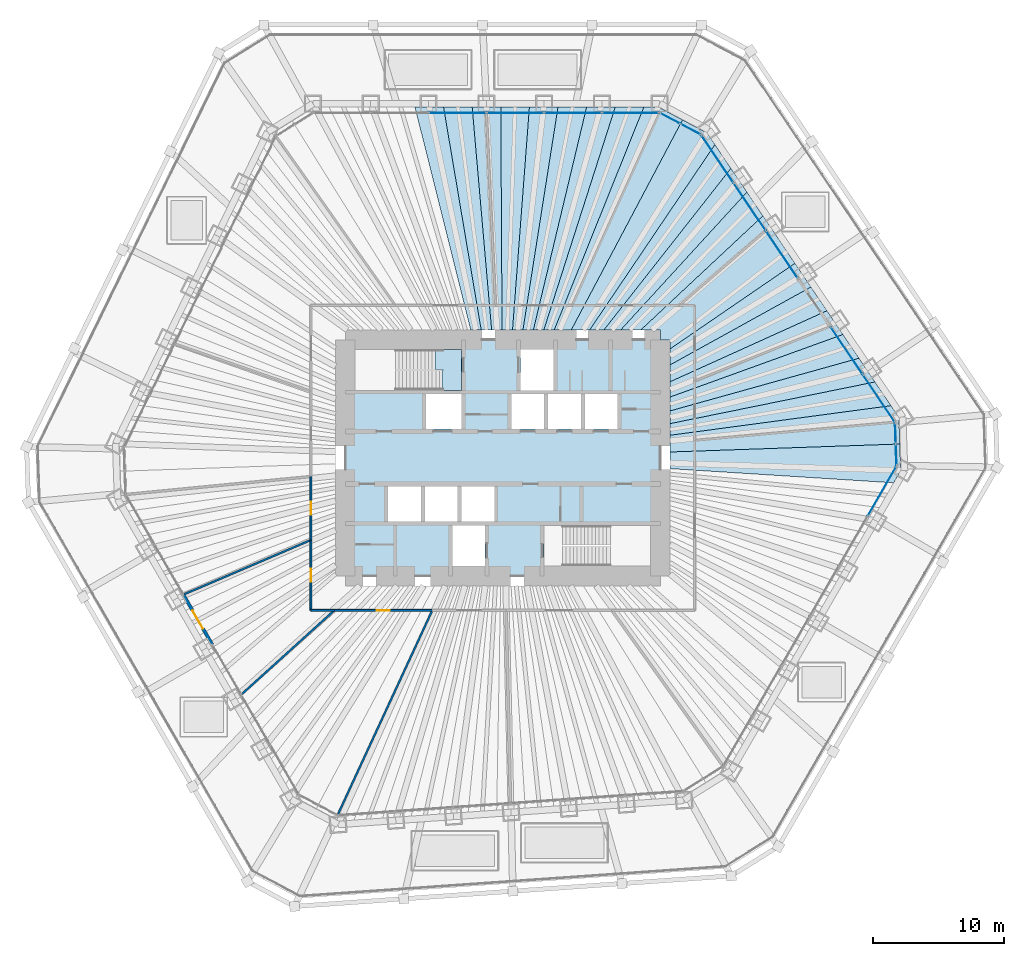
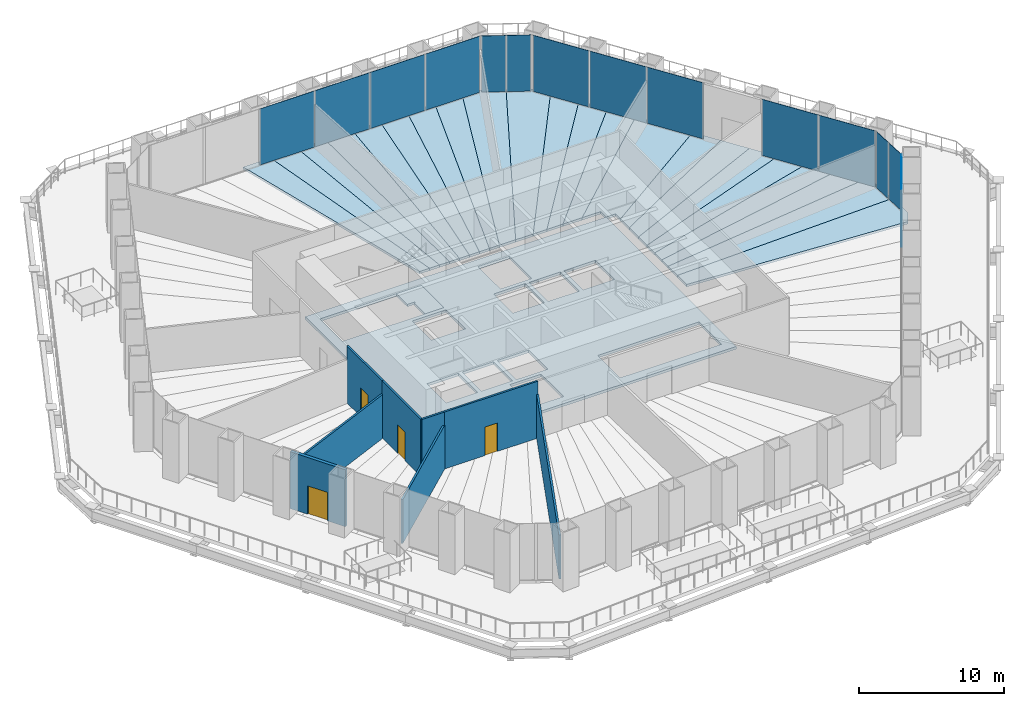
# One storey, part 14 of 20: 24 slabs, 14 plates, 8 walls, 4 doors, 4 openings, 7 elements without a shape of their own.
"""IFC4 building model written with IfcOpenShell, lengths in metres."""

from ifc_helpers import new_model, si_unit, direction, frame, frame_2d, origin, origin_2d, place, context, subcontext, project, spatial, polyline, rectangle, outline, extrude, material, layer, layer_set, type_object, element, fill, aggregate, save


model = new_model("IFC4")

# Units and contexts
model_context = context("Model", 3, precision=1e-05, world=origin(), true_north=direction((0.0, 1.0)))
body_context = subcontext(model_context, "Body", "Model", "MODEL_VIEW")
ifc_project = project(units=[si_unit("LENGTHUNIT", "METRE"), si_unit("AREAUNIT", "SQUARE_METRE"), si_unit("VOLUMEUNIT", "CUBIC_METRE"), si_unit("PLANEANGLEUNIT", "RADIAN"), si_unit("MASSUNIT", "GRAM", prefix="KILO")], contexts=[model_context])

# Site, building, storey
site_placement = place(None, origin())
site = spatial("IfcSite", under=ifc_project, at=site_placement, CompositionType="ELEMENT")
building_placement = place(site_placement, origin())
building = spatial("IfcBuilding", under=site, at=building_placement, Name="Qingtian Harvest Tower", CompositionType="ELEMENT")
storey_placement = place(building_placement, frame((0.0, 0.0, 17.0)))
storey = spatial("IfcBuildingStorey", under=building, at=storey_placement, Name="L03", CompositionType="ELEMENT", Elevation=17.0)

# Slabs
ifc_material_1 = material(Name="Concrete fc' 35 MPa", Category="concrete")
ifc_layer_1 = layer(ifc_material_1, 0.199951171875)
ifc_layer_set_1 = layer_set([ifc_layer_1], Name="Composite floor slab FS20 200")
slab_type_1 = type_object("IfcSlabType", Name="Composite floor slab FS20 200", PredefinedType="FLOOR", material=ifc_layer_set_1)
slab_1_placement = place(storey_placement, frame((0.0, 0.0, -0.199951171875)))
element("IfcSlab", 1, at=slab_1_placement, inside=storey, type_object=slab_type_1, Name="Floor slab L03 panel D39", PredefinedType="FLOOR", context=body_context, shape_type="SweptSolid", body=[
    extrude(outline(polyline([(12.75, -0.822265625), (12.75, 0.447265625), (30.2587890625, 1.056640625), (30.32958984375, -0.9775390625), (29.794921875, -1.903564453125), (12.75, -0.822265625)])), origin(), (0.0, 0.0, 1.0), 0.199951171875),
])
slab_2_placement = place(storey_placement, frame((0.0, 0.0, -0.199951171875)))
element("IfcSlab", 2, at=slab_2_placement, inside=storey, type_object=slab_type_1, Name="Floor slab L03 panel D40", PredefinedType="FLOOR", context=body_context, shape_type="SweptSolid", body=[
    extrude(outline(polyline([(12.75, 0.447265625), (12.75, 1.72265625), (29.589599609375, 3.977294921875), (30.187744140625, 3.0908203125), (30.2587890625, 1.056640625), (12.75, 0.447265625)])), origin(), (0.0, 0.0, 1.0), 0.199951171875),
])
slab_3_placement = place(storey_placement, frame((0.0, 0.0, -0.199951171875)))
element("IfcSlab", 3, at=slab_3_placement, inside=storey, type_object=slab_type_1, Name="Floor slab L03 panel D41", PredefinedType="FLOOR", context=body_context, shape_type="SweptSolid", body=[
    extrude(outline(polyline([(12.75, 2.610595703125), (28.369140625, 5.78662109375), (29.589599609375, 3.977294921875), (12.75, 1.72265625), (12.75, 2.610595703125)])), origin(), (0.0, 0.0, 1.0), 0.199951171875),
])
slab_4_placement = place(storey_placement, frame((0.0, 0.0, -0.199951171875)))
element("IfcSlab", 4, at=slab_4_placement, inside=storey, type_object=slab_type_1, Name="Floor slab L03 panel D42", PredefinedType="FLOOR", context=body_context, shape_type="SweptSolid", body=[
    extrude(outline(polyline([(12.75, 3.57861328125), (27.14892578125, 7.595947265625), (28.369140625, 5.78662109375), (12.75, 2.610595703125), (12.75, 3.57861328125)])), origin(), (0.0, 0.0, 1.0), 0.199951171875),
])
slab_5_placement = place(storey_placement, frame((0.0, 0.0, -0.199951171875)))
element("IfcSlab", 5, at=slab_5_placement, inside=storey, type_object=slab_type_1, Name="Floor slab L03 panel D43", PredefinedType="FLOOR", context=body_context, shape_type="SweptSolid", body=[
    extrude(outline(polyline([(12.75, 4.6376953125), (25.928466796875, 9.405029296875), (27.14892578125, 7.595947265625), (12.75, 3.57861328125), (12.75, 4.6376953125)])), origin(), (0.0, 0.0, 1.0), 0.199951171875),
])
slab_6_placement = place(storey_placement, frame((0.0, 0.0, -0.199951171875)))
element("IfcSlab", 6, at=slab_6_placement, inside=storey, type_object=slab_type_1, Name="Floor slab L03 panel D44", PredefinedType="FLOOR", context=body_context, shape_type="SweptSolid", body=[
    extrude(outline(polyline([(12.75, 5.8017578125), (24.708251953125, 11.21435546875), (25.928466796875, 9.405029296875), (12.75, 4.6376953125), (12.75, 5.8017578125)])), origin(), (0.0, 0.0, 1.0), 0.199951171875),
])
slab_7_placement = place(storey_placement, frame((0.0, 0.0, -0.199951171875)))
element("IfcSlab", 7, at=slab_7_placement, inside=storey, type_object=slab_type_1, Name="Floor slab L03 panel D45", PredefinedType="FLOOR", context=body_context, shape_type="SweptSolid", body=[
    extrude(outline(polyline([(12.75, 7.087158203125), (23.48779296875, 13.023681640625), (24.708251953125, 11.21435546875), (12.75, 5.8017578125), (12.75, 7.087158203125)])), origin(), (0.0, 0.0, 1.0), 0.199951171875),
])
slab_8_placement = place(storey_placement, frame((0.0, 0.0, -0.199951171875)))
element("IfcSlab", 8, at=slab_8_placement, inside=storey, type_object=slab_type_1, Name="Floor slab L03 panel D46", PredefinedType="FLOOR", context=body_context, shape_type="SweptSolid", body=[
    extrude(outline(polyline([(12.75, 8.30615234375), (22.26953125, 14.829833984375), (23.48779296875, 13.023681640625), (12.75, 7.087158203125), (12.75, 8.30615234375)])), origin(), (0.0, 0.0, 1.0), 0.199951171875),
])
slab_9_placement = place(storey_placement, frame((0.0, 0.0, -0.199951171875)))
element("IfcSlab", 9, at=slab_9_placement, inside=storey, type_object=slab_type_1, Name="Floor slab L03 panel D48", PredefinedType="FLOOR", context=body_context, shape_type="SweptSolid", body=[
    extrude(outline(polyline([(19.8271484375, 18.45068359375), (22.26953125, 14.829833984375), (12.75, 8.30615234375), (12.75, 9.0), (12.0, 9.0), (12.0, 9.75), (10.51806640625, 9.75), (19.8271484375, 18.45068359375)])), origin(), (0.0, 0.0, 1.0), 0.199951171875),
])
slab_10_placement = place(storey_placement, frame((0.0, 0.0, -0.199951171875)))
element("IfcSlab", 10, at=slab_10_placement, inside=storey, type_object=slab_type_1, Name="Floor slab L03 panel D49", PredefinedType="FLOOR", context=body_context, shape_type="SweptSolid", body=[
    extrude(outline(polyline([(8.985107421875, 9.75), (18.60693359375, 20.260009765625), (19.8271484375, 18.45068359375), (10.51806640625, 9.75), (8.985107421875, 9.75)])), origin(), (0.0, 0.0, 1.0), 0.199951171875),
])
slab_11_placement = place(storey_placement, frame((0.0, 0.0, -0.199951171875)))
element("IfcSlab", 11, at=slab_11_placement, inside=storey, type_object=slab_type_1, Name="Floor slab L03 panel D50", PredefinedType="FLOOR", context=body_context, shape_type="SweptSolid", body=[
    extrude(outline(polyline([(7.705078125, 9.75), (17.386474609375, 22.0693359375), (18.60693359375, 20.260009765625), (8.985107421875, 9.75), (7.705078125, 9.75)])), origin(), (0.0, 0.0, 1.0), 0.199951171875),
])
slab_12_placement = place(storey_placement, frame((0.0, 0.0, -0.199951171875)))
element("IfcSlab", 12, at=slab_12_placement, inside=storey, type_object=slab_type_1, Name="Floor slab L03 panel D51", PredefinedType="FLOOR", context=body_context, shape_type="SweptSolid", body=[
    extrude(outline(polyline([(6.61962890625, 9.75), (16.166015625, 23.87841796875), (17.386474609375, 22.0693359375), (7.705078125, 9.75), (6.61962890625, 9.75)])), origin(), (0.0, 0.0, 1.0), 0.199951171875),
])
slab_13_placement = place(storey_placement, frame((0.0, 0.0, -0.199951171875)))
element("IfcSlab", 13, at=slab_13_placement, inside=storey, type_object=slab_type_1, Name="Floor slab L03 panel D52", PredefinedType="FLOOR", context=body_context, shape_type="SweptSolid", body=[
    extrude(outline(polyline([(6.61962890625, 9.75), (5.21875, 9.75), (13.697265625, 25.760009765625), (15.56787109375, 24.765380859375), (16.166015625, 23.87841796875), (6.61962890625, 9.75)])), origin(), (0.0, 0.0, 1.0), 0.199951171875),
])
slab_14_placement = place(storey_placement, frame((0.0, 0.0, -0.199951171875)))
element("IfcSlab", 14, at=slab_14_placement, inside=storey, type_object=slab_type_1, Name="Floor slab L03 panel D53", PredefinedType="FLOOR", context=body_context, shape_type="SweptSolid", body=[
    extrude(outline(polyline([(3.919921875, 9.75), (10.756591796875, 26.7548828125), (11.825927734375, 26.7548828125), (13.697265625, 25.760009765625), (5.21875, 9.75), (3.919921875, 9.75)])), origin(), (0.0, 0.0, 1.0), 0.199951171875),
])
slab_15_placement = place(storey_placement, frame((0.0, 0.0, -0.199951171875)))
element("IfcSlab", 15, at=slab_15_placement, inside=storey, type_object=slab_type_1, Name="Floor slab L03 panel D54", PredefinedType="FLOOR", context=body_context, shape_type="SweptSolid", body=[
    extrude(outline(polyline([(3.12451171875, 9.75), (8.57421875, 26.7548828125), (10.756591796875, 26.7548828125), (3.919921875, 9.75), (3.12451171875, 9.75)])), origin(), (0.0, 0.0, 1.0), 0.199951171875),
])
slab_16_placement = place(storey_placement, frame((0.0, 0.0, -0.199951171875)))
element("IfcSlab", 16, at=slab_16_placement, inside=storey, type_object=slab_type_1, Name="Floor slab L03 panel D55", PredefinedType="FLOOR", context=body_context, shape_type="SweptSolid", body=[
    extrude(outline(polyline([(2.329345703125, 9.75), (6.391845703125, 26.7548828125), (8.57421875, 26.7548828125), (3.12451171875, 9.75), (2.329345703125, 9.75)])), origin(), (0.0, 0.0, 1.0), 0.199951171875),
])
slab_17_placement = place(storey_placement, frame((0.0, 0.0, -0.199951171875)))
element("IfcSlab", 17, at=slab_17_placement, inside=storey, type_object=slab_type_1, Name="Floor slab L03 panel D56", PredefinedType="FLOOR", context=body_context, shape_type="SweptSolid", body=[
    extrude(outline(polyline([(1.533935546875, 9.75), (4.20947265625, 26.7548828125), (6.391845703125, 26.7548828125), (2.329345703125, 9.75), (1.533935546875, 9.75)])), origin(), (0.0, 0.0, 1.0), 0.199951171875),
])
slab_18_placement = place(storey_placement, frame((0.0, 0.0, -0.199951171875)))
element("IfcSlab", 18, at=slab_18_placement, inside=storey, type_object=slab_type_1, Name="Floor slab L03 panel D57", PredefinedType="FLOOR", context=body_context, shape_type="SweptSolid", body=[
    extrude(outline(polyline([(0.73876953125, 9.75), (2.02734375, 26.7548828125), (4.20947265625, 26.7548828125), (1.533935546875, 9.75), (0.73876953125, 9.75)])), origin(), (0.0, 0.0, 1.0), 0.199951171875),
])
slab_19_placement = place(storey_placement, frame((0.0, 0.0, -0.199951171875)))
element("IfcSlab", 19, at=slab_19_placement, inside=storey, type_object=slab_type_1, Name="Floor slab L03 panel D58", PredefinedType="FLOOR", context=body_context, shape_type="SweptSolid", body=[
    extrude(outline(polyline([(-0.056396484375, 9.75), (-0.155029296875, 26.7548828125), (2.02734375, 26.7548828125), (0.73876953125, 9.75), (-0.056396484375, 9.75)])), origin(), (0.0, 0.0, 1.0), 0.199951171875),
])
slab_20_placement = place(storey_placement, frame((0.0, 0.0, -0.199951171875)))
element("IfcSlab", 20, at=slab_20_placement, inside=storey, type_object=slab_type_1, Name="Floor slab L03 panel D59", PredefinedType="FLOOR", context=body_context, shape_type="SweptSolid", body=[
    extrude(outline(polyline([(-0.851806640625, 9.75), (-2.33740234375, 26.7548828125), (-0.155029296875, 26.7548828125), (-0.056396484375, 9.75), (-0.851806640625, 9.75)])), origin(), (0.0, 0.0, 1.0), 0.199951171875),
])
slab_21_placement = place(storey_placement, frame((0.0, 0.0, -0.199951171875)))
element("IfcSlab", 21, at=slab_21_placement, inside=storey, type_object=slab_type_1, Name="Floor slab L03 panel D60", PredefinedType="FLOOR", context=body_context, shape_type="SweptSolid", body=[
    extrude(outline(polyline([(-1.64697265625, 9.75), (-4.519775390625, 26.7548828125), (-2.33740234375, 26.7548828125), (-0.851806640625, 9.75), (-1.64697265625, 9.75)])), origin(), (0.0, 0.0, 1.0), 0.199951171875),
])
slab_22_placement = place(storey_placement, frame((0.0, 0.0, -0.199951171875)))
element("IfcSlab", 22, at=slab_22_placement, inside=storey, type_object=slab_type_1, Name="Floor slab L03 panel D61", PredefinedType="FLOOR", context=body_context, shape_type="SweptSolid", body=[
    extrude(outline(polyline([(-2.4423828125, 9.75), (-6.7021484375, 26.7548828125), (-4.519775390625, 26.7548828125), (-1.64697265625, 9.75), (-2.4423828125, 9.75)])), origin(), (0.0, 0.0, 1.0), 0.199951171875),
])
ifc_material_2 = material(Name="Concrete fc' 35 MPa", Category="concrete")
ifc_layer_2 = layer(ifc_material_2, 0.219970703125)
ifc_layer_set_2 = layer_set([ifc_layer_2], Name="Core floor slab CS22 220")
slab_type_2 = type_object("IfcSlabType", Name="Core floor slab CS22 220", PredefinedType="FLOOR", material=ifc_layer_set_2)
slab_23_placement = place(storey_placement, frame((0.0, 0.0, -0.219970703125)))
element("IfcSlab", 23, at=slab_23_placement, inside=storey, type_object=slab_type_2, Name="Core floor slab L03", PredefinedType="FLOOR", context=body_context, shape_type="SweptSolid", body=[
    extrude(outline(polyline([(-12.0, -9.0), (12.0, -9.0), (12.0, 9.0), (-12.0, 9.0), (-12.0, -9.0)]), holes=[polyline([(-11.25, 5.14990234375), (-3.14990234375, 5.14990234375), (-3.14990234375, 8.25), (-11.25, 8.25), (-11.25, 5.14990234375)]), polyline([(3.14990234375, -8.25), (11.25, -8.25), (11.25, -5.14990234375), (3.14990234375, -5.14990234375), (3.14990234375, -8.25)]), polyline([(1.35009765625, 5.14990234375), (3.85009765625, 5.14990234375), (3.85009765625, 8.25), (1.35009765625, 8.25), (1.35009765625, 5.14990234375)]), polyline([(-3.85009765625, -8.25), (-1.35009765625, -8.25), (-1.35009765625, -5.14990234375), (-3.85009765625, -5.14990234375), (-3.85009765625, -8.25)]), polyline([(-5.85009765625, 2.199951171875), (-3.14990234375, 2.199951171875), (-3.14990234375, 4.85009765625), (-5.85009765625, 4.85009765625), (-5.85009765625, 2.199951171875)]), polyline([(0.64990234375, 2.199951171875), (3.14990234375, 2.199951171875), (3.14990234375, 4.85009765625), (0.64990234375, 4.85009765625), (0.64990234375, 2.199951171875)]), polyline([(3.449951171875, 2.199951171875), (5.949951171875, 2.199951171875), (5.949951171875, 4.85009765625), (3.449951171875, 4.85009765625), (3.449951171875, 2.199951171875)]), polyline([(6.25, 2.199951171875), (8.75, 2.199951171875), (8.75, 4.85009765625), (6.25, 4.85009765625), (6.25, 2.199951171875)]), polyline([(-8.75, -4.85009765625), (-6.25, -4.85009765625), (-6.25, -2.199951171875), (-8.75, -2.199951171875), (-8.75, -4.85009765625)]), polyline([(-5.949951171875, -4.85009765625), (-3.449951171875, -4.85009765625), (-3.449951171875, -2.199951171875), (-5.949951171875, -2.199951171875), (-5.949951171875, -4.85009765625)]), polyline([(-3.14990234375, -4.85009765625), (-0.64990234375, -4.85009765625), (-0.64990234375, -2.199951171875), (-3.14990234375, -2.199951171875), (-3.14990234375, -4.85009765625)])]), origin(), (0.0, 0.0, 1.0), 0.219970703125),
])

# Curtain wall, plates
ifc_material_3 = material(Name="Bronze-anodised aluminium curtain wall", Category="aluminium")
curtain_wall_type = type_object("IfcCurtainWallType", Name="Curtain wall CW2 farm reception", PredefinedType="USERDEFINED", material=ifc_material_3)
curtain_wall_1_placement = place(storey_placement, origin())
curtain_wall_1 = element("IfcCurtainWall", 24, at=curtain_wall_1_placement, inside=storey, type_object=curtain_wall_type, Name="Curtain wall CW2 L03 N0-5", ObjectType="RECESSED CURTAIN WALL", PredefinedType="USERDEFINED")
ifc_material_4 = material(Name="Bronze-tinted laminated insulating glass", Category="glass")
ifc_layer_3 = layer(ifc_material_4, 0.030029296875)
ifc_layer_set_3 = layer_set([ifc_layer_3], Name="Glazed panel CWP tinted IGU")
plate_type = type_object("IfcPlateType", Name="Glazed panel CWP tinted IGU", PredefinedType="CURTAIN_PANEL", material=ifc_layer_set_3)
plate_1_placement = place(storey_placement, frame((-3.4599609375, 26.300048828125, 0.06494140625), z_axis=(0.0, 0.0, 1.0), x_axis=(1.0, 0.0, 0.0)))
plate_1 = element("IfcPlate", 25, at=plate_1_placement, type_object=plate_type, Name="CW2 panel 3.1", PredefinedType="CURTAIN_PANEL", context=body_context, shape_type="SweptSolid", body=[
    extrude(rectangle(XDim=4.339599609375, YDim=0.030029296875, at=origin_2d()), origin(), (0.0, 0.0, 1.0), 4.735107421875),
])
plate_2_placement = place(storey_placement, frame((0.944580078125, 26.300048828125, 0.06494140625), z_axis=(0.0, 0.0, 1.0), x_axis=(1.0, 0.0, 0.0)))
plate_2 = element("IfcPlate", 26, at=plate_2_placement, type_object=plate_type, Name="CW2 panel 4.1", PredefinedType="CURTAIN_PANEL", context=body_context, shape_type="SweptSolid", body=[
    extrude(rectangle(XDim=4.339599609375, YDim=0.030029296875, at=origin_2d()), origin(), (0.0, 0.0, 1.0), 4.735107421875),
])
plate_3_placement = place(storey_placement, frame((5.349365234375, 26.300048828125, 0.06494140625), z_axis=(0.0, 0.0, 1.0), x_axis=(1.0, 0.0, 0.0)))
plate_3 = element("IfcPlate", 27, at=plate_3_placement, type_object=plate_type, Name="CW2 panel 5.1", PredefinedType="CURTAIN_PANEL", context=body_context, shape_type="SweptSolid", body=[
    extrude(rectangle(XDim=4.339599609375, YDim=0.030029296875, at=origin_2d()), origin(), (0.0, 0.0, 1.0), 4.735107421875),
])
plate_4_placement = place(storey_placement, frame((9.737548828125, 26.300048828125, 0.06494140625), z_axis=(0.0, 0.0, 1.0), x_axis=(1.0, 0.0, 0.0)))
plate_4 = element("IfcPlate", 28, at=plate_4_placement, type_object=plate_type, Name="CW2 panel 6.1", PredefinedType="CURTAIN_PANEL", context=body_context, shape_type="SweptSolid", body=[
    extrude(rectangle(XDim=4.30712890625, YDim=0.030029296875, at=origin_2d()), origin(), (0.0, 0.0, 1.0), 4.735107421875),
])
aggregate(curtain_wall_1, [plate_1, plate_2, plate_3, plate_4])

curtain_wall_2_placement = place(storey_placement, origin())
curtain_wall_2 = element("IfcCurtainWall", 29, at=curtain_wall_2_placement, inside=storey, type_object=curtain_wall_type, Name="Curtain wall CW2 L03 NC", ObjectType="RECESSED CURTAIN WALL", PredefinedType="USERDEFINED")
plate_5_placement = place(storey_placement, frame((12.760986328125, 25.8720703125, 0.06494140625), z_axis=(0.0, 0.0, 1.0), x_axis=(0.882947592859, -0.469471562786, 0.0)))
plate_5 = element("IfcPlate", 30, at=plate_5_placement, type_object=plate_type, Name="CW2 panel 1.1", PredefinedType="CURTAIN_PANEL", context=body_context, shape_type="SweptSolid", body=[
    extrude(rectangle(XDim=1.69287109375, YDim=0.030029296875, at=origin_2d()), origin(), (0.0, 0.0, 1.0), 4.735107421875),
])
plate_6_placement = place(storey_placement, frame((14.31298828125, 25.046875, 0.06494140625), z_axis=(0.0, 0.0, 1.0), x_axis=(0.882947592859, -0.469471562786, 0.0)))
plate_6 = element("IfcPlate", 31, at=plate_6_placement, type_object=plate_type, Name="CW2 panel 2.1", PredefinedType="CURTAIN_PANEL", context=body_context, shape_type="SweptSolid", body=[
    extrude(rectangle(XDim=1.69287109375, YDim=0.030029296875, at=origin_2d()), origin(), (0.0, 0.0, 1.0), 4.735107421875),
])
aggregate(curtain_wall_2, [plate_5, plate_6])

curtain_wall_3_placement = place(storey_placement, origin())
curtain_wall_3 = element("IfcCurtainWall", 32, at=curtain_wall_3_placement, inside=storey, type_object=curtain_wall_type, Name="Curtain wall CW2 L03 NE0-2", ObjectType="RECESSED CURTAIN WALL", PredefinedType="USERDEFINED")
plate_7_placement = place(storey_placement, frame((16.3583984375, 22.779541015625, 0.06494140625), z_axis=(0.0, 0.0, 1.0), x_axis=(0.559192903471, -0.829037572555, 0.0)))
plate_7 = element("IfcPlate", 33, at=plate_7_placement, type_object=plate_type, Name="CW2 panel 1.1", PredefinedType="CURTAIN_PANEL", context=body_context, shape_type="SweptSolid", body=[
    extrude(rectangle(XDim=4.30712890625, YDim=0.030029296875, at=origin_2d()), origin(), (0.0, 0.0, 1.0), 4.735107421875),
])
plate_8_placement = place(storey_placement, frame((18.8125, 19.1416015625, 0.06494140625), z_axis=(0.0, 0.0, 1.0), x_axis=(0.559192903471, -0.829037572555, 0.0)))
plate_8 = element("IfcPlate", 34, at=plate_8_placement, type_object=plate_type, Name="CW2 panel 2.1", PredefinedType="CURTAIN_PANEL", context=body_context, shape_type="SweptSolid", body=[
    extrude(rectangle(XDim=4.339599609375, YDim=0.030029296875, at=origin_2d()), origin(), (0.0, 0.0, 1.0), 4.735107421875),
])
plate_9_placement = place(storey_placement, frame((21.266357421875, 15.50341796875, 0.06494140625), z_axis=(0.0, 0.0, 1.0), x_axis=(0.559192903471, -0.829037572555, 0.0)))
plate_9 = element("IfcPlate", 35, at=plate_9_placement, type_object=plate_type, Name="CW2 panel 3.1", PredefinedType="CURTAIN_PANEL", context=body_context, shape_type="SweptSolid", body=[
    extrude(rectangle(XDim=4.30712890625, YDim=0.030029296875, at=origin_2d()), origin(), (0.0, 0.0, 1.0), 4.735107421875),
])
aggregate(curtain_wall_3, [plate_7, plate_8, plate_9])

curtain_wall_4_placement = place(storey_placement, origin())
curtain_wall_4 = element("IfcCurtainWall", 36, at=curtain_wall_4_placement, inside=storey, type_object=curtain_wall_type, Name="Curtain wall CW2 L03 NE4-5", ObjectType="RECESSED CURTAIN WALL", PredefinedType="USERDEFINED")
plate_10_placement = place(storey_placement, frame((26.210693359375, 8.17333984375, 0.06494140625), z_axis=(0.0, 0.0, 1.0), x_axis=(0.559192903471, -0.829037572555, 0.0)))
plate_10 = element("IfcPlate", 37, at=plate_10_placement, type_object=plate_type, Name="CW2 panel 1.1", PredefinedType="CURTAIN_PANEL", context=body_context, shape_type="SweptSolid", body=[
    extrude(rectangle(XDim=4.30712890625, YDim=0.030029296875, at=origin_2d()), origin(), (0.0, 0.0, 1.0), 4.735107421875),
])
plate_11_placement = place(storey_placement, frame((28.655517578125, 4.548583984375, 0.06494140625), z_axis=(0.0, 0.0, 1.0), x_axis=(0.559192903471, -0.829037572555, 0.0)))
plate_11 = element("IfcPlate", 38, at=plate_11_placement, type_object=plate_type, Name="CW2 panel 2.1", PredefinedType="CURTAIN_PANEL", context=body_context, shape_type="SweptSolid", body=[
    extrude(rectangle(XDim=4.30712890625, YDim=0.030029296875, at=origin_2d()), origin(), (0.0, 0.0, 1.0), 4.735107421875),
])
aggregate(curtain_wall_4, [plate_10, plate_11])

curtain_wall_5_placement = place(storey_placement, origin())
curtain_wall_5 = element("IfcCurtainWall", 39, at=curtain_wall_5_placement, inside=storey, type_object=curtain_wall_type, Name="Curtain wall CW2 L03 NEC", ObjectType="RECESSED CURTAIN WALL", PredefinedType="USERDEFINED")
plate_12_placement = place(storey_placement, frame((29.925537109375, 1.861572265625, 0.06494140625), z_axis=(0.0, 0.0, 1.0), x_axis=(0.034899496703, -0.999390827019, 0.0)))
plate_12 = element("IfcPlate", 40, at=plate_12_placement, type_object=plate_type, Name="CW2 panel 1.1", PredefinedType="CURTAIN_PANEL", context=body_context, shape_type="SweptSolid", body=[
    extrude(rectangle(XDim=1.56689453125, YDim=0.030029296875, at=origin_2d()), origin(), (0.0, 0.0, 1.0), 4.735107421875),
])
plate_13_placement = place(storey_placement, frame((29.982666015625, 0.23046875, 0.06494140625), z_axis=(0.0, 0.0, 1.0), x_axis=(0.034899496703, -0.999390827019, 0.0)))
plate_13 = element("IfcPlate", 41, at=plate_13_placement, type_object=plate_type, Name="CW2 panel 2.1", PredefinedType="CURTAIN_PANEL", context=body_context, shape_type="SweptSolid", body=[
    extrude(rectangle(XDim=1.56689453125, YDim=0.030029296875, at=origin_2d()), origin(), (0.0, 0.0, 1.0), 4.735107421875),
])
aggregate(curtain_wall_5, [plate_12, plate_13])

# Curtain wall, plate
curtain_wall_6_placement = place(storey_placement, origin())
curtain_wall_6 = element("IfcCurtainWall", 42, at=curtain_wall_6_placement, inside=storey, type_object=curtain_wall_type, Name="Curtain wall CW2 L03 SE0-5", ObjectType="RECESSED CURTAIN WALL", PredefinedType="USERDEFINED")
plate_14_placement = place(storey_placement, frame((28.90283203125, -2.53857421875, 0.06494140625), z_axis=(0.0, 0.0, 1.0), x_axis=(-0.5, -0.866025403784, 0.0)))
plate_14 = element("IfcPlate", 43, at=plate_14_placement, type_object=plate_type, Name="CW2 panel 1.1", PredefinedType="CURTAIN_PANEL", context=body_context, shape_type="SweptSolid", body=[
    extrude(rectangle(XDim=4.30712890625, YDim=0.030029296875, at=origin_2d()), origin(), (0.0, 0.0, 1.0), 4.735107421875),
])
aggregate(curtain_wall_6, [plate_14])

# Stair, slab
ifc_material_5 = material(Name="Concrete fc' 35 MPa", Category="concrete")
stair_type = type_object("IfcStairType", Name="Special stair ST2 5000", PredefinedType="HALF_TURN_STAIR", material=ifc_material_5)
stair_placement = place(storey_placement, origin())
stair = element("IfcStair", 44, at=stair_placement, inside=storey, type_object=stair_type, Name="Special stair S1 L03", PredefinedType="HALF_TURN_STAIR")
ifc_material_6 = material(Name="Concrete fc' 35 MPa", Category="concrete")
ifc_layer_4 = layer(ifc_material_6, 0.199951171875)
ifc_layer_set_4 = layer_set([ifc_layer_4], Name="Stair landing SL2 200")
slab_type_3 = type_object("IfcSlabType", Name="Stair landing SL2 200", PredefinedType="LANDING", material=ifc_layer_set_4)
slab_24_placement = place(storey_placement, frame((0.0, 0.0, -0.199951171875)))
slab_24 = element("IfcSlab", 45, at=slab_24_placement, type_object=slab_type_3, Name="S1 landing 1", PredefinedType="LANDING", context=body_context, shape_type="SweptSolid", body=[
    extrude(outline(polyline([(-4.64990234375, 5.14990234375), (-4.64990234375, 6.64990234375), (-4.550048828125, 6.64990234375), (-4.550048828125, 6.75), (-5.155029296875, 6.75), (-5.155029296875, 8.25), (-3.14990234375, 8.25), (-3.14990234375, 5.14990234375), (-4.64990234375, 5.14990234375)])), origin(), (0.0, 0.0, 1.0), 0.199951171875),
])
aggregate(stair, [slab_24])

# Wall, opening, door
ifc_material_7 = material(Name="Bronze-clad steel-framed screen wall with fire-rated lining", Category="steel")
ifc_layer_5 = layer(ifc_material_7, 0.25)
ifc_layer_set_5 = layer_set([ifc_layer_5], Name="Facade door bay wall FW2 250")
wall_type_1 = type_object("IfcWallType", Name="Facade door bay wall FW2 250", PredefinedType="SOLIDWALL", material=ifc_layer_set_5)
wall_1_placement = place(storey_placement, frame((-22.147705078125, -14.2392578125, 0.0), z_axis=(0.0, 0.0, 1.0), x_axis=(-0.499954356739, 0.86605175433, 0.0)))
wall_1 = element("IfcWall", 46, at=wall_1_placement, inside=storey, type_object=wall_type_1, Name="Terrace door bay SW3", PredefinedType="SOLIDWALL", context=body_context, shape_type="SweptSolid", body=[
    extrude(rectangle(XDim=4.40478515625, YDim=0.25, at=frame_2d((2.202392578125, 0.0))), origin(), (0.0, 0.0, 1.0), 4.800048828125),
])
opening_1_placement = place(wall_1_placement, frame((1.40234375, 0.0, 0.0)))
opening_1 = element("IfcOpeningElement", 47, at=opening_1_placement, cuts=wall_1, Name="Opening TD1", PredefinedType="OPENING", context=body_context, shape_type="SweptSolid", body=[
    extrude(rectangle(XDim=1.60009765625, YDim=2.39990234375, at=frame_2d((0.800048828125, 1.199951171875))), frame((0.0, 0.135009765625, 0.0), z_axis=(0.0, -1.0, 0.0), x_axis=(1.0, 0.0, 0.0)), (0.0, 0.0, 1.0), 0.27001953125),
])
ifc_material_8 = material(Name="Bronze-framed glass door", Category="glass")
door_type_1 = type_object("IfcDoorType", Name="Terrace door TD1 double", OperationType="DOUBLE_DOOR_DOUBLE_SWING", PredefinedType="DOOR", material=ifc_material_8)
door_1_placement = place(opening_1_placement, origin())
door_1 = element("IfcDoor", 48, at=door_1_placement, inside=storey, type_object=door_type_1, Name="Terrace door SW3", OperationType="DOUBLE_DOOR_DOUBLE_SWING", OverallHeight=2.39990234375, OverallWidth=1.60009765625, PredefinedType="DOOR", context=body_context, shape_type="SweptSolid", body=[
    extrude(rectangle(XDim=1.60009765625, YDim=2.39990234375, at=frame_2d((0.800048828125, 1.199951171875))), frame((0.0, 0.02490234375, 0.0), z_axis=(0.0, -1.0, 0.0), x_axis=(1.0, 0.0, 0.0)), (0.0, 0.0, 1.0), 0.050048828125),
])
fill(opening_1, door_1)

# Wall
ifc_material_9 = material(Name="Gypsum board on steel studs", Category="steel")
ifc_layer_6 = layer(ifc_material_9, 0.14990234375)
ifc_layer_set_6 = layer_set([ifc_layer_6], Name="Partition PT1 150")
wall_type_2 = type_object("IfcWallType", Name="Partition PT1 150", PredefinedType="PARTITIONING", material=ifc_layer_set_6)
wall_2_placement = place(storey_placement, frame((-12.5595703125, -27.154541015625, 0.0), z_axis=(0.0, 0.0, 1.0), x_axis=(0.419799104875, 0.907617051154, 0.0)))
element("IfcWall", 49, at=wall_2_placement, inside=storey, type_object=wall_type_2, Name="Grower training room wall L03", PredefinedType="PARTITIONING", context=body_context, shape_type="SweptSolid", body=[
    extrude(rectangle(XDim=17.1103515625, YDim=0.14990234375, at=frame_2d((8.55517578125, 0.0))), origin(), (0.0, 0.0, 1.0), 3.699951171875),
])

# Wall, opening, door
wall_3_placement = place(storey_placement, frame((-5.376708984375, -11.625, 0.0), z_axis=(0.0, 0.0, 1.0), x_axis=(-1.0, 0.0, 0.0)))
wall_3 = element("IfcWall", 50, at=wall_3_placement, inside=storey, type_object=wall_type_2, Name="Grower training room wall L03", PredefinedType="PARTITIONING", context=body_context, shape_type="SweptSolid", body=[
    extrude(rectangle(XDim=7.46630859375, YDim=0.14990234375, at=frame_2d((3.733154296875, 0.0))), origin(), (0.0, 0.0, 1.0), 4.800048828125),
])
opening_2_placement = place(wall_3_placement, frame((3.233154296875, 0.0, 0.0)))
opening_2 = element("IfcOpeningElement", 51, at=opening_2_placement, cuts=wall_3, Name="Opening D2", PredefinedType="OPENING", context=body_context, shape_type="SweptSolid", body=[
    extrude(rectangle(XDim=1.0, YDim=2.39990234375, at=frame_2d((0.5, 1.199951171875))), frame((0.0, 0.0849609375, 0.0), z_axis=(0.0, -1.0, 0.0), x_axis=(1.0, 0.0, 0.0)), (0.0, 0.0, 1.0), 0.169921875),
])
ifc_material_10 = material(Name="Laminated timber door leaf", Category="wood")
door_type_2 = type_object("IfcDoorType", Name="Room door D2 single", OperationType="SINGLE_SWING_LEFT", PredefinedType="DOOR", material=ifc_material_10)
door_2_placement = place(opening_2_placement, origin())
door_2 = element("IfcDoor", 52, at=door_2_placement, inside=storey, type_object=door_type_2, Name="Grower training room door L03", OperationType="SINGLE_SWING_LEFT", OverallHeight=2.39990234375, OverallWidth=1.0, PredefinedType="DOOR", context=body_context, shape_type="SweptSolid", body=[
    extrude(rectangle(XDim=1.0, YDim=2.39990234375, at=frame_2d((0.5, 1.199951171875))), frame((0.0, 0.02490234375, 0.0), z_axis=(0.0, -1.0, 0.0), x_axis=(1.0, 0.0, 0.0)), (0.0, 0.0, 1.0), 0.050048828125),
])
fill(opening_2, door_2)

# Walls
wall_4_placement = place(storey_placement, frame((-19.87109375, -17.986572265625, 0.0), z_axis=(0.0, 0.0, 1.0), x_axis=(0.741386887315, 0.671077851905, 0.0)))
element("IfcWall", 53, at=wall_4_placement, inside=storey, type_object=wall_type_2, Name="Farm cafe wall L03", PredefinedType="PARTITIONING", context=body_context, shape_type="SweptSolid", body=[
    extrude(rectangle(XDim=9.479736328125, YDim=0.14990234375, at=frame_2d((4.73974609375, 0.0))), origin(), (0.0, 0.0, 1.0), 3.699951171875),
])
wall_5_placement = place(storey_placement, frame((-12.843017578125, -11.625, 0.0), z_axis=(0.0, 0.0, 1.0), x_axis=(-1.0, 0.0, 0.0)))
element("IfcWall", 54, at=wall_5_placement, inside=storey, type_object=wall_type_2, Name="Farm cafe wall L03", PredefinedType="PARTITIONING", context=body_context, shape_type="SweptSolid", body=[
    extrude(rectangle(XDim=1.781982421875, YDim=0.14990234375, at=frame_2d((0.89111328125, 0.0))), origin(), (0.0, 0.0, 1.0), 4.800048828125),
])

# Wall, opening, door
wall_6_placement = place(storey_placement, frame((-14.625, -11.625, 0.0), z_axis=(0.0, 0.0, 1.0), x_axis=(0.0, 1.0, 0.0)))
wall_6 = element("IfcWall", 55, at=wall_6_placement, inside=storey, type_object=wall_type_2, Name="Farm cafe wall L03", PredefinedType="PARTITIONING", context=body_context, shape_type="SweptSolid", body=[
    extrude(rectangle(XDim=5.36376953125, YDim=0.14990234375, at=frame_2d((2.681884765625, 0.0))), origin(), (0.0, 0.0, 1.0), 4.800048828125),
])
opening_3_placement = place(wall_6_placement, frame((2.181884765625, 0.0, 0.0)))
opening_3 = element("IfcOpeningElement", 56, at=opening_3_placement, cuts=wall_6, Name="Opening D2", PredefinedType="OPENING", context=body_context, shape_type="SweptSolid", body=[
    extrude(rectangle(XDim=1.0, YDim=2.39990234375, at=frame_2d((0.5, 1.199951171875))), frame((0.0, 0.0849609375, 0.0), z_axis=(0.0, -1.0, 0.0), x_axis=(1.0, 0.0, 0.0)), (0.0, 0.0, 1.0), 0.169921875),
])
door_3_placement = place(opening_3_placement, origin())
door_3 = element("IfcDoor", 57, at=door_3_placement, inside=storey, type_object=door_type_2, Name="Farm cafe door L03", OperationType="SINGLE_SWING_LEFT", OverallHeight=2.39990234375, OverallWidth=1.0, PredefinedType="DOOR", context=body_context, shape_type="SweptSolid", body=[
    extrude(rectangle(XDim=1.0, YDim=2.39990234375, at=frame_2d((0.5, 1.199951171875))), frame((0.0, 0.02490234375, 0.0), z_axis=(0.0, -1.0, 0.0), x_axis=(1.0, 0.0, 0.0)), (0.0, 0.0, 1.0), 0.050048828125),
])
fill(opening_3, door_3)

# Wall
wall_7_placement = place(storey_placement, frame((-24.258056640625, -10.38525390625, 0.0), z_axis=(0.0, 0.0, 1.0), x_axis=(0.919298009201, 0.393562155547, 0.0)))
element("IfcWall", 58, at=wall_7_placement, inside=storey, type_object=wall_type_2, Name="Seed store wall L03", PredefinedType="PARTITIONING", context=body_context, shape_type="SweptSolid", body=[
    extrude(rectangle(XDim=10.478759765625, YDim=0.14990234375, at=frame_2d((5.2392578125, 0.0))), origin(), (0.0, 0.0, 1.0), 3.699951171875),
])

# Wall, opening, door
wall_8_placement = place(storey_placement, frame((-14.625, -6.26123046875, 0.0), z_axis=(0.0, 0.0, 1.0), x_axis=(0.0, 1.0, 0.0)))
wall_8 = element("IfcWall", 59, at=wall_8_placement, inside=storey, type_object=wall_type_2, Name="Seed store wall L03", PredefinedType="PARTITIONING", context=body_context, shape_type="SweptSolid", body=[
    extrude(rectangle(XDim=4.83935546875, YDim=0.14990234375, at=frame_2d((2.419677734375, 0.0))), origin(), (0.0, 0.0, 1.0), 4.800048828125),
])
opening_4_placement = place(wall_8_placement, frame((1.919677734375, 0.0, 0.0)))
opening_4 = element("IfcOpeningElement", 60, at=opening_4_placement, cuts=wall_8, Name="Opening D2", PredefinedType="OPENING", context=body_context, shape_type="SweptSolid", body=[
    extrude(rectangle(XDim=1.0, YDim=2.39990234375, at=frame_2d((0.5, 1.199951171875))), frame((0.0, 0.0849609375, 0.0), z_axis=(0.0, -1.0, 0.0), x_axis=(1.0, 0.0, 0.0)), (0.0, 0.0, 1.0), 0.169921875),
])
door_4_placement = place(opening_4_placement, origin())
door_4 = element("IfcDoor", 61, at=door_4_placement, inside=storey, type_object=door_type_2, Name="Seed store door L03", OperationType="SINGLE_SWING_LEFT", OverallHeight=2.39990234375, OverallWidth=1.0, PredefinedType="DOOR", context=body_context, shape_type="SweptSolid", body=[
    extrude(rectangle(XDim=1.0, YDim=2.39990234375, at=frame_2d((0.5, 1.199951171875))), frame((0.0, 0.02490234375, 0.0), z_axis=(0.0, -1.0, 0.0), x_axis=(1.0, 0.0, 0.0)), (0.0, 0.0, 1.0), 0.050048828125),
])
fill(opening_4, door_4)

save(model, "model.ifc")
